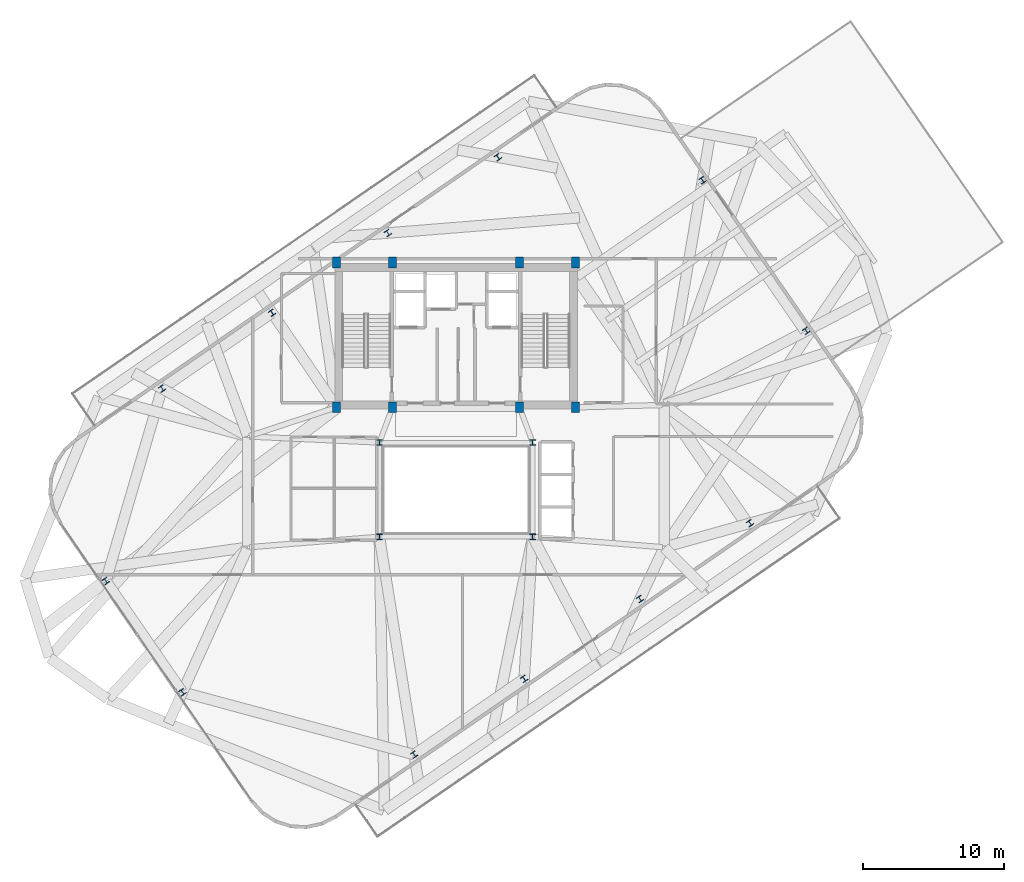
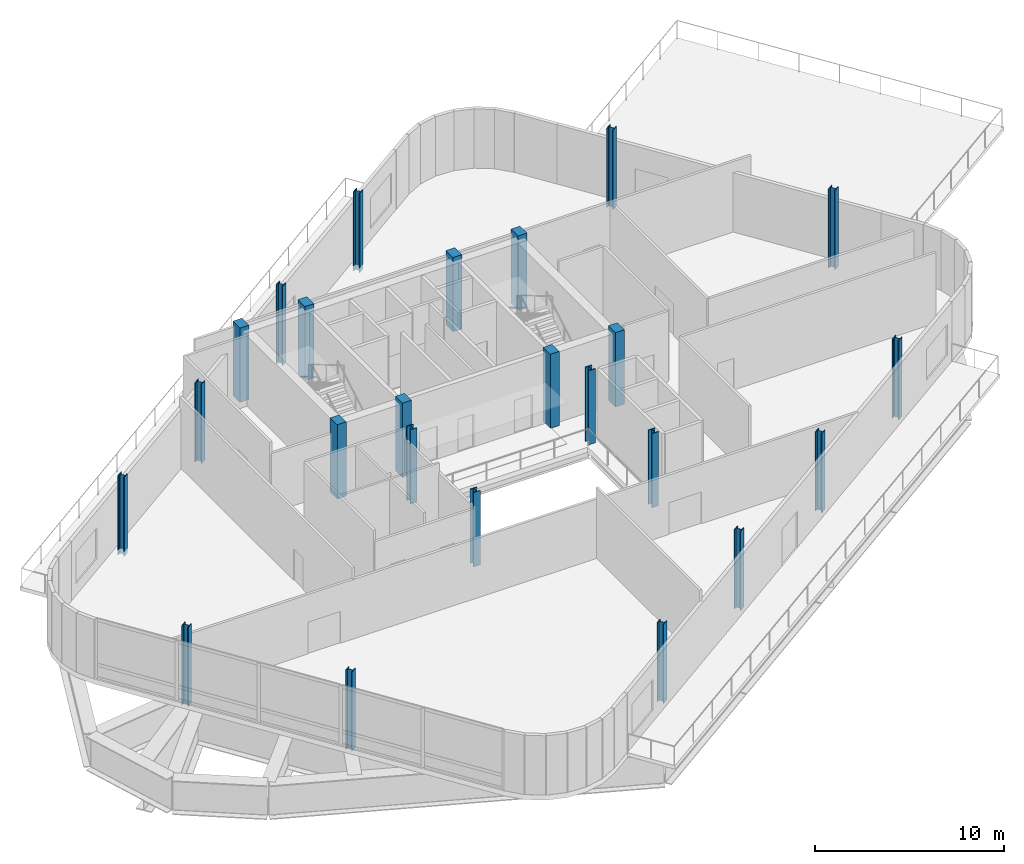
# One storey, part 1 of 18: 24 columns.
"""IFC4 building model written with IfcOpenShell, lengths in metres."""

from ifc_helpers import new_model, si_unit, direction, frame, origin, origin_2d, place, context, subcontext, project, spatial, rectangle, i_section, extrude, material, material_profile, profile_set, type_object, element, save


model = new_model("IFC4")

# Units and contexts
model_context = context("Model", 3, precision=1e-05, world=origin(), true_north=direction((0.0, 1.0)))
body_context = subcontext(model_context, "Body", "Model", "MODEL_VIEW")
ifc_project = project(units=[si_unit("LENGTHUNIT", "METRE"), si_unit("AREAUNIT", "SQUARE_METRE"), si_unit("VOLUMEUNIT", "CUBIC_METRE"), si_unit("PLANEANGLEUNIT", "RADIAN"), si_unit("MASSUNIT", "GRAM", prefix="KILO")], contexts=[model_context])

# Site, building, storey
site_placement = place(None, origin())
site = spatial("IfcSite", under=ifc_project, at=site_placement, CompositionType="ELEMENT")
building_placement = place(site_placement, origin())
building = spatial("IfcBuilding", under=site, at=building_placement, Name="Varnelok Gate Tower", CompositionType="ELEMENT")
storey_placement = place(building_placement, frame((0.0, 0.0, 296.300048828125)))
storey = spatial("IfcBuildingStorey", under=building, at=storey_placement, Name="L76", CompositionType="ELEMENT", Elevation=296.300048828125)

# Columns
ifc_material_1 = material(Name="Concrete C50/60", Category="concrete")
ifc_material_profile_1 = material_profile(ifc_material_1, rectangle(XDim=0.550048828125, YDim=0.75, at=origin_2d()), Name="RC750X550")
ifc_profile_set_1 = profile_set([ifc_material_profile_1], Name="Concrete C50/60")
column_type_1 = type_object("IfcColumnType", Name="COL-RC750X550", PredefinedType="COLUMN", material=ifc_profile_set_1)
for number, where, z_axis, x_axis, name in (
    (1, (30.699951171875, 28.75, 0.0), (0.0, 0.0, 1.0), (1.0, 0.0, 0.0), "L76 Core Spine Column SC1"),
    (2, (34.679931640625, 28.75, 0.0), (0.0, 0.0, 1.0), (1.0, 0.0, 0.0), "L76 Core Spine Column SC2"),
    (3, (43.719970703125, 28.75, 0.0), (0.0, 0.0, 1.0), (1.0, 0.0, 0.0), "L76 Core Spine Column SC3"),
    (4, (47.699951171875, 28.75, 0.0), (0.0, 0.0, 1.0), (1.0, 0.0, 0.0), "L76 Core Spine Column SC4"),
    (5, (30.699951171875, 39.050048828125, 0.0), (0.0, 0.0, 1.0), (1.0, 0.0, 0.0), "L76 Core Spine Column SC5"),
    (6, (34.679931640625, 39.050048828125, 0.0), (0.0, 0.0, 1.0), (1.0, 0.0, 0.0), "L76 Core Spine Column SC6"),
    (7, (43.719970703125, 39.050048828125, 0.0), (0.0, 0.0, 1.0), (1.0, 0.0, 0.0), "L76 Core Spine Column SC7"),
    (8, (47.699951171875, 39.050048828125, 0.0), (0.0, 0.0, 1.0), (1.0, 0.0, 0.0), "L76 Core Spine Column SC8"),
):
    element("IfcColumn", number, at=place(storey_placement, frame(where, z_axis=z_axis, x_axis=x_axis)), inside=storey, type_object=column_type_1, Name=name, PredefinedType="COLUMN", context=body_context, shape_type="SweptSolid", body=[
        extrude(rectangle(XDim=0.550048828125, YDim=0.75, at=origin_2d()), origin(), (0.0, 0.0, 1.0), 4.800048828125),
    ])
ifc_material_2 = material(Name="Structural Steel ASTM A992 Grade 50", Category="steel")
ifc_material_profile_2 = material_profile(ifc_material_2, i_section(OverallWidth=0.40087890625, OverallDepth=0.39892578125, WebThickness=0.02490234375, FlangeThickness=0.03955078125, FilletRadius=0.02197265625, at=origin_2d()), Name="W14X211")
ifc_profile_set_2 = profile_set([ifc_material_profile_2], Name="Structural Steel ASTM A992 Grade 50")
column_type_2 = type_object("IfcColumnType", Name="COL-W14X211", PredefinedType="COLUMN", material=ifc_profile_set_2)
for number, where, z_axis, x_axis, name in (
    (9, (36.2216796875, 4.062744140625, -0.320068359375), (0.0, 0.0, 1.0), (0.823532597628, 0.567268949127, 0.0), "L76 Crown Column CC01"),
    (10, (44.045166015625, 9.451904296875, -0.320068359375), (0.0, 0.0, 1.0), (0.823532597628, 0.567268949127, 0.0), "L76 Crown Column CC02"),
    (11, (52.280517578125, 15.12451171875, -0.320068359375), (0.0, 0.0, 1.0), (0.823532597628, 0.567268949127, 0.0), "L76 Crown Column CC03"),
    (12, (60.10400390625, 20.513671875, -0.320068359375), (0.0, 0.0, 1.0), (0.823532597628, 0.567268949127, 0.0), "L76 Crown Column CC04"),
    (13, (64.0986328125, 34.193603515625, -0.320068359375), (0.0, 0.0, 1.0), (0.823532597628, 0.567268949127, 0.0), "L76 Crown Column CC05"),
    (14, (56.72412109375, 44.899658203125, -0.320068359375), (0.0, 0.0, 1.0), (0.823532597628, 0.567268949127, 0.0), "L76 Crown Column CC06"),
    (15, (42.178466796875, 46.537109375, -0.320068359375), (0.0, 0.0, 1.0), (0.823532597628, 0.567268949127, 0.0), "L76 Crown Column CC07"),
    (16, (34.354736328125, 41.148193359375, -0.320068359375), (0.0, 0.0, 1.0), (0.823532597628, 0.567268949127, 0.0), "L76 Crown Column CC08"),
    (17, (26.119384765625, 35.4755859375, -0.320068359375), (0.0, 0.0, 1.0), (0.823532597628, 0.567268949127, 0.0), "L76 Crown Column CC09"),
    (18, (18.2958984375, 30.08642578125, -0.320068359375), (0.0, 0.0, 1.0), (0.823532597628, 0.567268949127, 0.0), "L76 Crown Column CC10"),
    (19, (14.30126953125, 16.40625, -0.320068359375), (0.0, 0.0, 1.0), (0.823532597628, 0.567268949127, 0.0), "L76 Crown Column CC11"),
    (20, (19.7470703125, 8.50048828125, -0.320068359375), (0.0, 0.0, 1.0), (0.823532597628, 0.567268949127, 0.0), "L76 Crown Column CC12"),
):
    element("IfcColumn", number, at=place(storey_placement, frame(where, z_axis=z_axis, x_axis=x_axis)), inside=storey, type_object=column_type_2, Name=name, PredefinedType="COLUMN", context=body_context, shape_type="SweptSolid", body=[
        extrude(i_section(OverallWidth=0.40087890625, OverallDepth=0.39892578125, WebThickness=0.02490234375, FlangeThickness=0.03955078125, FilletRadius=0.02197265625, at=origin_2d()), origin(), (0.0, 0.0, 1.0), 5.1201171875),
    ])
ifc_material_profile_3 = material_profile(ifc_material_2, i_section(OverallWidth=0.406005859375, OverallDepth=0.416015625, WebThickness=0.02978515625, FlangeThickness=0.048095703125, FilletRadius=0.02490234375, at=origin_2d()), Name="W14X257")
ifc_profile_set_3 = profile_set([ifc_material_profile_3], Name="Structural Steel ASTM A992 Grade 50")
column_type_3 = type_object("IfcColumnType", Name="COL-W14X257", PredefinedType="COLUMN", material=ifc_profile_set_3)
for number, where, z_axis, x_axis, name in (
    (21, (33.75, 19.550048828125, 0.0), (0.0, 0.0, 1.0), (1.0, 0.0, 0.0), "L76 Atrium Spine Column AC1"),
    (22, (44.64990234375, 19.550048828125, 0.0), (0.0, 0.0, 1.0), (1.0, 0.0, 0.0), "L76 Atrium Spine Column AC2"),
    (23, (33.75, 26.25, 0.0), (0.0, 0.0, 1.0), (1.0, 0.0, 0.0), "L76 Atrium Spine Column AC3"),
    (24, (44.64990234375, 26.25, 0.0), (0.0, 0.0, 1.0), (1.0, 0.0, 0.0), "L76 Atrium Spine Column AC4"),
):
    element("IfcColumn", number, at=place(storey_placement, frame(where, z_axis=z_axis, x_axis=x_axis)), inside=storey, type_object=column_type_3, Name=name, PredefinedType="COLUMN", context=body_context, shape_type="SweptSolid", body=[
        extrude(i_section(OverallWidth=0.406005859375, OverallDepth=0.416015625, WebThickness=0.02978515625, FlangeThickness=0.048095703125, FilletRadius=0.02490234375, at=origin_2d()), origin(), (0.0, 0.0, 1.0), 4.800048828125),
    ])

save(model, "model.ifc")
